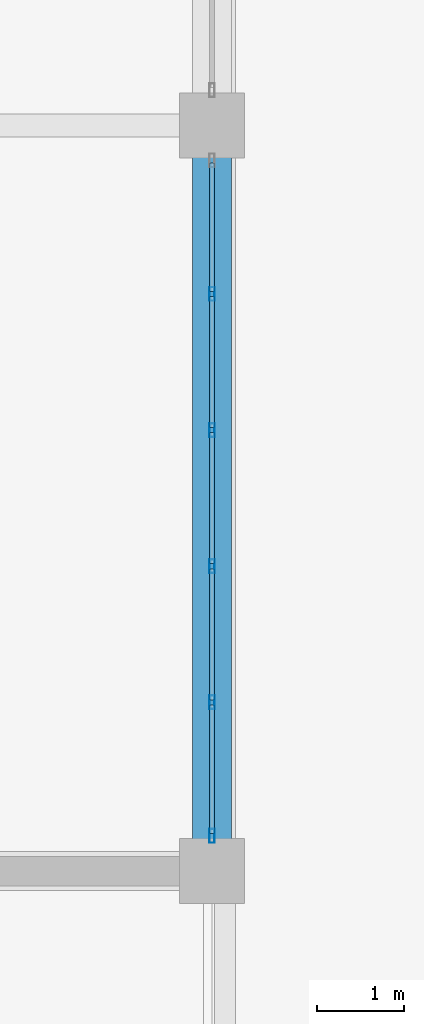
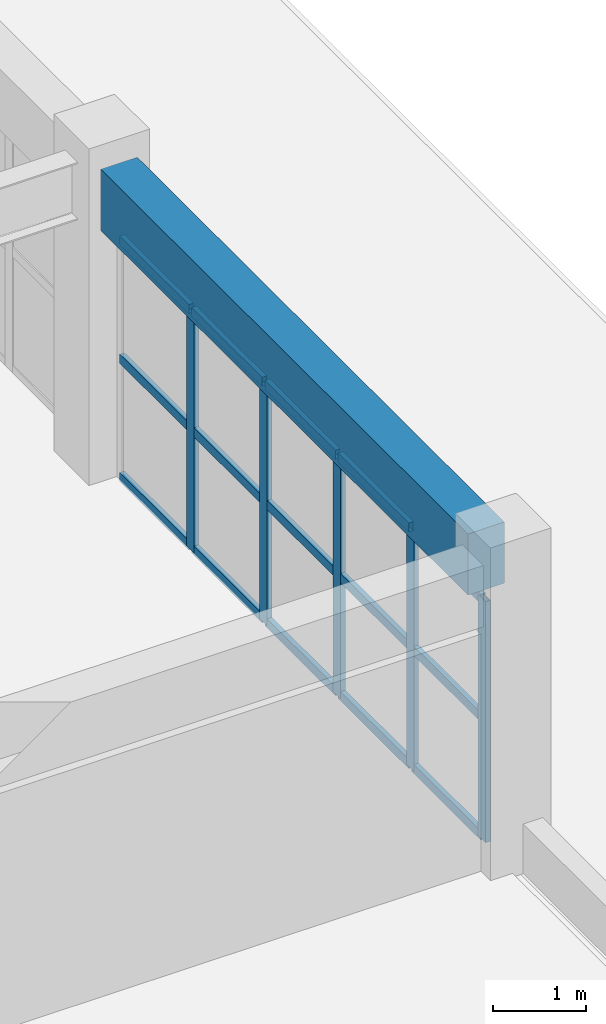
# One storey, part 46 of 90: 20 members, 1 beam, 1 element without a shape of its own.
"""IFC4 building model written with IfcOpenShell, lengths in metres."""

from ifc_helpers import new_model, si_unit, direction, frame, origin, origin_2d, place, context, subcontext, project, spatial, rectangle, hollow_rectangle, extrude, material, layer, layer_set, material_profile, profile_set, type_object, element, aggregate, save


model = new_model("IFC4")

# Units and contexts
model_context = context("Model", 3, precision=1e-05, world=origin(), true_north=direction((0.0, 1.0)))
body_context = subcontext(model_context, "Body", "Model", "MODEL_VIEW")
ifc_project = project(units=[si_unit("LENGTHUNIT", "METRE"), si_unit("AREAUNIT", "SQUARE_METRE"), si_unit("VOLUMEUNIT", "CUBIC_METRE"), si_unit("PLANEANGLEUNIT", "RADIAN"), si_unit("MASSUNIT", "GRAM", prefix="KILO")], contexts=[model_context])

# Site, building, storey
site_placement = place(None, origin())
site = spatial("IfcSite", under=ifc_project, at=site_placement, CompositionType="ELEMENT")
building_placement = place(site_placement, origin())
building = spatial("IfcBuilding", under=site, at=building_placement, Name="Muzn Square Opera House", CompositionType="ELEMENT")
storey_placement = place(building_placement, frame((0.0, 0.0, 9.800048828125)))
storey = spatial("IfcBuildingStorey", under=building, at=storey_placement, Name="L02", CompositionType="ELEMENT", Elevation=9.800048828125)

# Curtain wall, members
ifc_material_1 = material(Name="Low-E laminated acoustic double glazing", Category="glass")
ifc_layer = layer(ifc_material_1, 0.159912109375, Name="Low-E laminated acoustic double glazing", Category="glass")
ifc_layer_set = layer_set([ifc_layer], Name="Low-E laminated acoustic double glazing")
curtain_wall_type = type_object("IfcCurtainWallType", Name="Glazed Curtain Wall RehearsalEast 7850x3150", PredefinedType="USERDEFINED", material=ifc_layer_set)
curtain_wall_placement = place(storey_placement, origin())
curtain_wall = element("IfcCurtainWall", 1, at=curtain_wall_placement, inside=storey, type_object=curtain_wall_type, Name="Glazed Curtain Wall CW-L02-122", ObjectType="GLAZED CURTAIN WALL", PredefinedType="USERDEFINED")
ifc_material_2 = material(Name="Anodised bronze aluminium 6063-T6", Category="metal")
ifc_material_profile_1 = material_profile(ifc_material_2, hollow_rectangle(XDim=0.06005859375, YDim=0.159912109375, WallThickness=0.00390625, at=origin_2d()), Name="ALU 160x60x4", Category="metal")
ifc_profile_set_1 = profile_set([ifc_material_profile_1], Name="Anodised bronze aluminium 6063-T6")
member_type_1 = type_object("IfcMemberType", Name="Curtain Wall Mullion 160x60", PredefinedType="MULLION", material=ifc_profile_set_1)
member_1_placement = place(storey_placement, frame((170.0, 73.0048828125, 0.0), z_axis=(0.0, 0.0, 1.0), x_axis=(-1.0, 0.0, 0.0)))
member_1 = element("IfcMember", 2, at=member_1_placement, type_object=member_type_1, Name="CW-RHE-78x31 mullion 1", PredefinedType="MULLION", context=body_context, shape_type="SweptSolid", body=[
    extrude(hollow_rectangle(XDim=0.06005859375, YDim=0.159912109375, WallThickness=0.00390625, at=origin_2d()), origin(), (0.0, 0.0, 1.0), 3.14990234375),
])
member_2_placement = place(storey_placement, frame((170.0, 74.544921875, 0.0), z_axis=(0.0, 0.0, 1.0), x_axis=(-1.0, 0.0, 0.0)))
member_2 = element("IfcMember", 3, at=member_2_placement, type_object=member_type_1, Name="CW-RHE-78x31 mullion 2", PredefinedType="MULLION", context=body_context, shape_type="SweptSolid", body=[
    extrude(hollow_rectangle(XDim=0.06005859375, YDim=0.159912109375, WallThickness=0.00390625, at=origin_2d()), origin(), (0.0, 0.0, 1.0), 3.14990234375),
])
member_3_placement = place(storey_placement, frame((170.0, 76.114990234375, 0.0), z_axis=(0.0, 0.0, 1.0), x_axis=(-1.0, 0.0, 0.0)))
member_3 = element("IfcMember", 4, at=member_3_placement, type_object=member_type_1, Name="CW-RHE-78x31 mullion 3", PredefinedType="MULLION", context=body_context, shape_type="SweptSolid", body=[
    extrude(hollow_rectangle(XDim=0.06005859375, YDim=0.159912109375, WallThickness=0.00390625, at=origin_2d()), origin(), (0.0, 0.0, 1.0), 3.14990234375),
])
member_4_placement = place(storey_placement, frame((170.0, 77.68505859375, 0.0), z_axis=(0.0, 0.0, 1.0), x_axis=(-1.0, 0.0, 0.0)))
member_4 = element("IfcMember", 5, at=member_4_placement, type_object=member_type_1, Name="CW-RHE-78x31 mullion 4", PredefinedType="MULLION", context=body_context, shape_type="SweptSolid", body=[
    extrude(hollow_rectangle(XDim=0.06005859375, YDim=0.159912109375, WallThickness=0.00390625, at=origin_2d()), origin(), (0.0, 0.0, 1.0), 3.14990234375),
])
member_5_placement = place(storey_placement, frame((170.0, 79.2548828125, 0.0), z_axis=(0.0, 0.0, 1.0), x_axis=(-1.0, 0.0, 0.0)))
member_5 = element("IfcMember", 6, at=member_5_placement, type_object=member_type_1, Name="CW-RHE-78x31 mullion 5", PredefinedType="MULLION", context=body_context, shape_type="SweptSolid", body=[
    extrude(hollow_rectangle(XDim=0.06005859375, YDim=0.159912109375, WallThickness=0.00390625, at=origin_2d()), origin(), (0.0, 0.0, 1.0), 3.14990234375),
])
ifc_material_profile_2 = material_profile(ifc_material_2, hollow_rectangle(XDim=0.06005859375, YDim=0.1201171875, WallThickness=0.00390625, at=origin_2d()), Name="ALU 120x60x4", Category="metal")
ifc_profile_set_2 = profile_set([ifc_material_profile_2], Name="Anodised bronze aluminium 6063-T6")
member_type_2 = type_object("IfcMemberType", Name="Curtain Wall Transom 120x60", PredefinedType="USERDEFINED", material=ifc_profile_set_2)
member_6_placement = place(storey_placement, frame((170.0, 73.034912109375, 0.030029296875), z_axis=(0.0, 1.0, 0.0), x_axis=(-1.0, 0.0, 0.0)))
member_6 = element("IfcMember", 7, at=member_6_placement, type_object=member_type_2, Name="CW-RHE-78x31 transom 1.1", ObjectType="TRANSOM", PredefinedType="USERDEFINED", context=body_context, shape_type="SweptSolid", body=[
    extrude(hollow_rectangle(XDim=0.06005859375, YDim=0.1201171875, WallThickness=0.00390625, at=origin_2d()), origin(), (0.0, 0.0, 1.0), 1.47998046875),
])
member_7_placement = place(storey_placement, frame((170.0, 73.034912109375, 1.574951171875), z_axis=(0.0, 1.0, 0.0), x_axis=(-1.0, 0.0, 0.0)))
member_7 = element("IfcMember", 8, at=member_7_placement, type_object=member_type_2, Name="CW-RHE-78x31 transom 1.2", ObjectType="TRANSOM", PredefinedType="USERDEFINED", context=body_context, shape_type="SweptSolid", body=[
    extrude(hollow_rectangle(XDim=0.06005859375, YDim=0.1201171875, WallThickness=0.00390625, at=origin_2d()), origin(), (0.0, 0.0, 1.0), 1.47998046875),
])
member_8_placement = place(storey_placement, frame((170.0, 73.034912109375, 3.119873046875), z_axis=(0.0, 1.0, 0.0), x_axis=(-1.0, 0.0, 0.0)))
member_8 = element("IfcMember", 9, at=member_8_placement, type_object=member_type_2, Name="CW-RHE-78x31 transom 1.3", ObjectType="TRANSOM", PredefinedType="USERDEFINED", context=body_context, shape_type="SweptSolid", body=[
    extrude(hollow_rectangle(XDim=0.06005859375, YDim=0.1201171875, WallThickness=0.00390625, at=origin_2d()), origin(), (0.0, 0.0, 1.0), 1.47998046875),
])
member_9_placement = place(storey_placement, frame((170.0, 74.574951171875, 0.030029296875), z_axis=(0.0, 1.0, 0.0), x_axis=(-1.0, 0.0, 0.0)))
member_9 = element("IfcMember", 10, at=member_9_placement, type_object=member_type_2, Name="CW-RHE-78x31 transom 2.1", ObjectType="TRANSOM", PredefinedType="USERDEFINED", context=body_context, shape_type="SweptSolid", body=[
    extrude(hollow_rectangle(XDim=0.06005859375, YDim=0.1201171875, WallThickness=0.00390625, at=origin_2d()), origin(), (0.0, 0.0, 1.0), 1.510009765625),
])
member_10_placement = place(storey_placement, frame((170.0, 74.574951171875, 1.574951171875), z_axis=(0.0, 1.0, 0.0), x_axis=(-1.0, 0.0, 0.0)))
member_10 = element("IfcMember", 11, at=member_10_placement, type_object=member_type_2, Name="CW-RHE-78x31 transom 2.2", ObjectType="TRANSOM", PredefinedType="USERDEFINED", context=body_context, shape_type="SweptSolid", body=[
    extrude(hollow_rectangle(XDim=0.06005859375, YDim=0.1201171875, WallThickness=0.00390625, at=origin_2d()), origin(), (0.0, 0.0, 1.0), 1.510009765625),
])
member_11_placement = place(storey_placement, frame((170.0, 74.574951171875, 3.119873046875), z_axis=(0.0, 1.0, 0.0), x_axis=(-1.0, 0.0, 0.0)))
member_11 = element("IfcMember", 12, at=member_11_placement, type_object=member_type_2, Name="CW-RHE-78x31 transom 2.3", ObjectType="TRANSOM", PredefinedType="USERDEFINED", context=body_context, shape_type="SweptSolid", body=[
    extrude(hollow_rectangle(XDim=0.06005859375, YDim=0.1201171875, WallThickness=0.00390625, at=origin_2d()), origin(), (0.0, 0.0, 1.0), 1.510009765625),
])
member_12_placement = place(storey_placement, frame((170.0, 76.14501953125, 0.030029296875), z_axis=(0.0, 1.0, 0.0), x_axis=(-1.0, 0.0, 0.0)))
member_12 = element("IfcMember", 13, at=member_12_placement, type_object=member_type_2, Name="CW-RHE-78x31 transom 3.1", ObjectType="TRANSOM", PredefinedType="USERDEFINED", context=body_context, shape_type="SweptSolid", body=[
    extrude(hollow_rectangle(XDim=0.06005859375, YDim=0.1201171875, WallThickness=0.00390625, at=origin_2d()), origin(), (0.0, 0.0, 1.0), 1.510009765625),
])
member_13_placement = place(storey_placement, frame((170.0, 76.14501953125, 1.574951171875), z_axis=(0.0, 1.0, 0.0), x_axis=(-1.0, 0.0, 0.0)))
member_13 = element("IfcMember", 14, at=member_13_placement, type_object=member_type_2, Name="CW-RHE-78x31 transom 3.2", ObjectType="TRANSOM", PredefinedType="USERDEFINED", context=body_context, shape_type="SweptSolid", body=[
    extrude(hollow_rectangle(XDim=0.06005859375, YDim=0.1201171875, WallThickness=0.00390625, at=origin_2d()), origin(), (0.0, 0.0, 1.0), 1.510009765625),
])
member_14_placement = place(storey_placement, frame((170.0, 76.14501953125, 3.119873046875), z_axis=(0.0, 1.0, 0.0), x_axis=(-1.0, 0.0, 0.0)))
member_14 = element("IfcMember", 15, at=member_14_placement, type_object=member_type_2, Name="CW-RHE-78x31 transom 3.3", ObjectType="TRANSOM", PredefinedType="USERDEFINED", context=body_context, shape_type="SweptSolid", body=[
    extrude(hollow_rectangle(XDim=0.06005859375, YDim=0.1201171875, WallThickness=0.00390625, at=origin_2d()), origin(), (0.0, 0.0, 1.0), 1.510009765625),
])
member_15_placement = place(storey_placement, frame((170.0, 77.715087890625, 0.030029296875), z_axis=(0.0, 1.0, 0.0), x_axis=(-1.0, 0.0, 0.0)))
member_15 = element("IfcMember", 16, at=member_15_placement, type_object=member_type_2, Name="CW-RHE-78x31 transom 4.1", ObjectType="TRANSOM", PredefinedType="USERDEFINED", context=body_context, shape_type="SweptSolid", body=[
    extrude(hollow_rectangle(XDim=0.06005859375, YDim=0.1201171875, WallThickness=0.00390625, at=origin_2d()), origin(), (0.0, 0.0, 1.0), 1.510009765625),
])
member_16_placement = place(storey_placement, frame((170.0, 77.715087890625, 1.574951171875), z_axis=(0.0, 1.0, 0.0), x_axis=(-1.0, 0.0, 0.0)))
member_16 = element("IfcMember", 17, at=member_16_placement, type_object=member_type_2, Name="CW-RHE-78x31 transom 4.2", ObjectType="TRANSOM", PredefinedType="USERDEFINED", context=body_context, shape_type="SweptSolid", body=[
    extrude(hollow_rectangle(XDim=0.06005859375, YDim=0.1201171875, WallThickness=0.00390625, at=origin_2d()), origin(), (0.0, 0.0, 1.0), 1.510009765625),
])
member_17_placement = place(storey_placement, frame((170.0, 77.715087890625, 3.119873046875), z_axis=(0.0, 1.0, 0.0), x_axis=(-1.0, 0.0, 0.0)))
member_17 = element("IfcMember", 18, at=member_17_placement, type_object=member_type_2, Name="CW-RHE-78x31 transom 4.3", ObjectType="TRANSOM", PredefinedType="USERDEFINED", context=body_context, shape_type="SweptSolid", body=[
    extrude(hollow_rectangle(XDim=0.06005859375, YDim=0.1201171875, WallThickness=0.00390625, at=origin_2d()), origin(), (0.0, 0.0, 1.0), 1.510009765625),
])
member_18_placement = place(storey_placement, frame((170.0, 79.284912109375, 0.030029296875), z_axis=(0.0, 1.0, 0.0), x_axis=(-1.0, 0.0, 0.0)))
member_18 = element("IfcMember", 19, at=member_18_placement, type_object=member_type_2, Name="CW-RHE-78x31 transom 5.1", ObjectType="TRANSOM", PredefinedType="USERDEFINED", context=body_context, shape_type="SweptSolid", body=[
    extrude(hollow_rectangle(XDim=0.06005859375, YDim=0.1201171875, WallThickness=0.00390625, at=origin_2d()), origin(), (0.0, 0.0, 1.0), 1.47998046875),
])
member_19_placement = place(storey_placement, frame((170.0, 79.284912109375, 1.574951171875), z_axis=(0.0, 1.0, 0.0), x_axis=(-1.0, 0.0, 0.0)))
member_19 = element("IfcMember", 20, at=member_19_placement, type_object=member_type_2, Name="CW-RHE-78x31 transom 5.2", ObjectType="TRANSOM", PredefinedType="USERDEFINED", context=body_context, shape_type="SweptSolid", body=[
    extrude(hollow_rectangle(XDim=0.06005859375, YDim=0.1201171875, WallThickness=0.00390625, at=origin_2d()), origin(), (0.0, 0.0, 1.0), 1.47998046875),
])
member_20_placement = place(storey_placement, frame((170.0, 79.284912109375, 3.119873046875), z_axis=(0.0, 1.0, 0.0), x_axis=(-1.0, 0.0, 0.0)))
member_20 = element("IfcMember", 21, at=member_20_placement, type_object=member_type_2, Name="CW-RHE-78x31 transom 5.3", ObjectType="TRANSOM", PredefinedType="USERDEFINED", context=body_context, shape_type="SweptSolid", body=[
    extrude(hollow_rectangle(XDim=0.06005859375, YDim=0.1201171875, WallThickness=0.00390625, at=origin_2d()), origin(), (0.0, 0.0, 1.0), 1.47998046875),
])
aggregate(curtain_wall, [member_1, member_2, member_3, member_4, member_5, member_6, member_7, member_8, member_9, member_10, member_11, member_12, member_13, member_14, member_15, member_16, member_17, member_18, member_19, member_20])

# Beam
ifc_material_3 = material(Name="Concrete C40/50", Category="concrete")
ifc_material_profile_3 = material_profile(ifc_material_3, rectangle(XDim=0.449951171875, YDim=0.800048828125, at=origin_2d()), Name="RCB 450x800", Category="concrete")
ifc_profile_set_3 = profile_set([ifc_material_profile_3], Name="Concrete C40/50")
beam_type = type_object("IfcBeamType", Name="Primary Girder 450x800", PredefinedType="BEAM", material=ifc_profile_set_3)
beam_placement = place(storey_placement, frame((170.0, 72.967041015625, 3.679931640625), z_axis=(0.0, 1.0, 0.0), x_axis=(-1.0, 0.0, 0.0)))
element("IfcBeam", 22, at=beam_placement, inside=storey, type_object=beam_type, Name="Primary Girder BM-L02-BM-PG800-1700_730_1700_808-2291", PredefinedType="BEAM", context=body_context, shape_type="SweptSolid", body=[
    extrude(rectangle(XDim=0.449951171875, YDim=0.800048828125, at=origin_2d()), origin(), (0.0, 0.0, 1.0), 7.865966796875),
])

save(model, "model.ifc")
